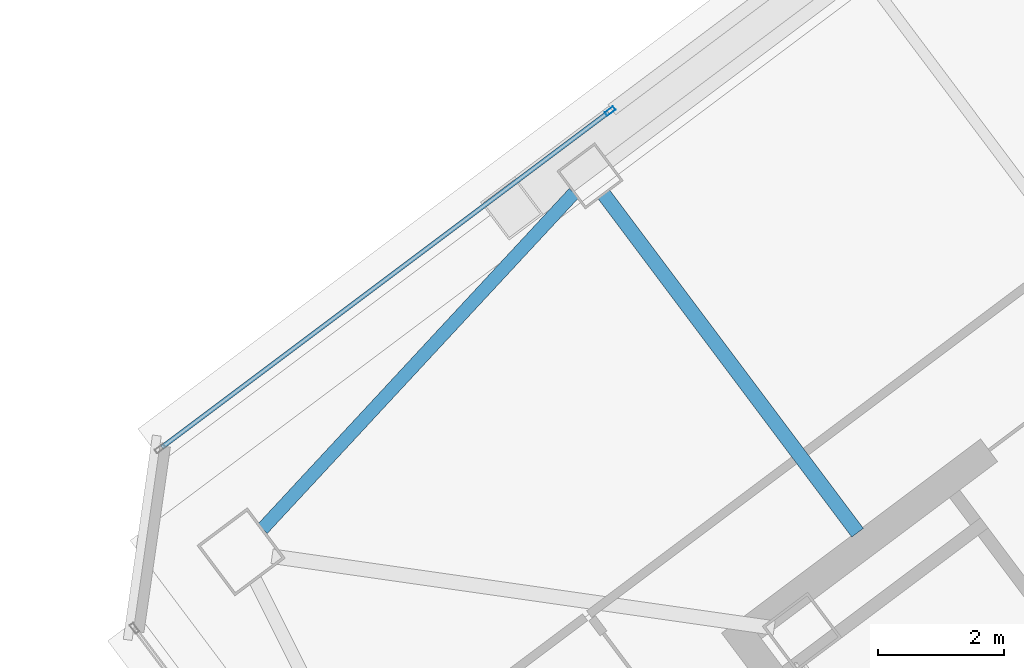
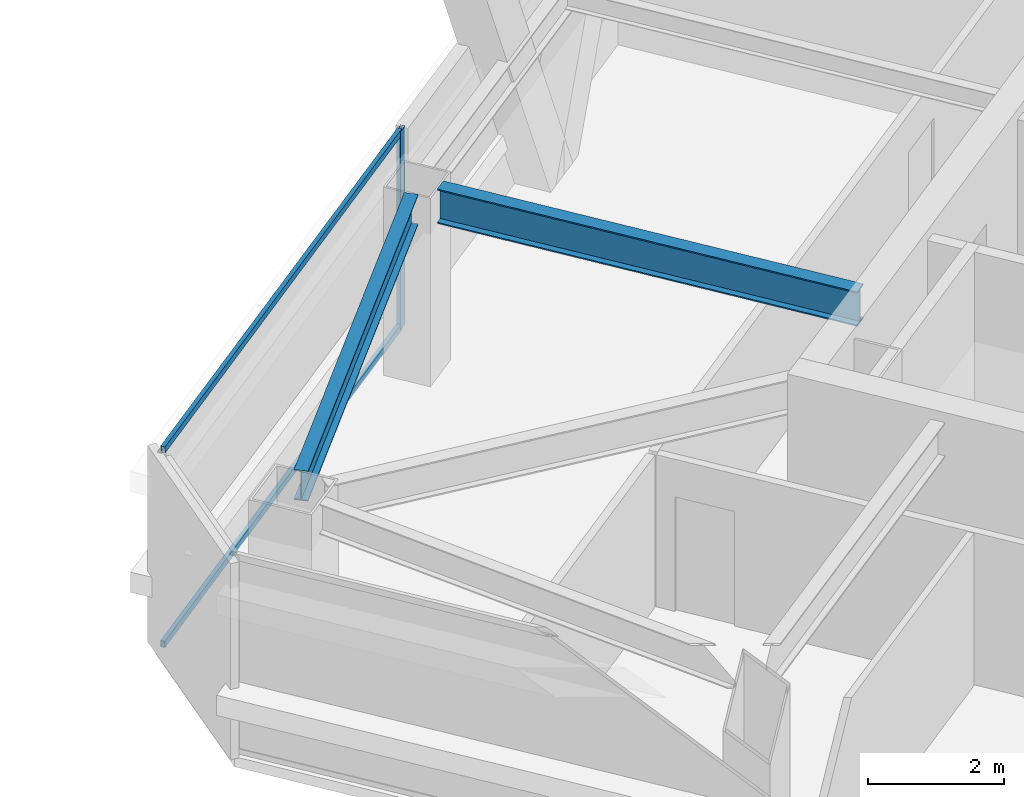
# One storey, part 25 of 47: 3 members, 2 beams, 1 element without a shape of its own.
"""IFC4 building model written with IfcOpenShell, lengths in metres."""

from ifc_helpers import new_model, si_unit, direction, frame, origin, origin_2d, place, context, subcontext, project, spatial, hollow_rectangle, i_section, extrude, material, material_profile, profile_set, type_object, element, aggregate, save


model = new_model("IFC4")

# Units and contexts
model_context = context("Model", 3, precision=1e-05, world=origin(), true_north=direction((0.0, 1.0)))
body_context = subcontext(model_context, "Body", "Model", "MODEL_VIEW")
ifc_project = project(units=[si_unit("LENGTHUNIT", "METRE"), si_unit("AREAUNIT", "SQUARE_METRE"), si_unit("VOLUMEUNIT", "CUBIC_METRE"), si_unit("PLANEANGLEUNIT", "RADIAN"), si_unit("MASSUNIT", "GRAM", prefix="KILO")], contexts=[model_context])

# Site, building, storey
site_placement = place(None, origin())
site = spatial("IfcSite", under=ifc_project, at=site_placement, CompositionType="ELEMENT")
building_placement = place(site_placement, origin())
building = spatial("IfcBuilding", under=site, at=building_placement, Name="Tashvorn Skyway Center", CompositionType="ELEMENT")
storey_placement = place(building_placement, frame((0.0, 0.0, 204.199951171875)))
storey = spatial("IfcBuildingStorey", under=building, at=storey_placement, Name="L55", CompositionType="ELEMENT", Elevation=204.199951171875)

# Beams
ifc_material_1 = material(Name="Steel ASTM A992 Grade 50", Category="steel")
ifc_material_profile_1 = material_profile(ifc_material_1, i_section(OverallWidth=0.22998046875, OverallDepth=0.616943359375, WebThickness=0.01318359375, FlangeThickness=0.022216796875, at=origin_2d()), Name="W24X94")
ifc_profile_set_1 = profile_set([ifc_material_profile_1], Name="Steel ASTM A992 Grade 50")
beam_type_1 = type_object("IfcBeamType", Name="BM-BEAM-W24X94", PredefinedType="BEAM", material=ifc_profile_set_1)
beam_1_placement = place(storey_placement, frame((100.991943359375, 40.343994140625, 3.0615234375), z_axis=(0.599994169845, -0.800004372583, 0.0), x_axis=(0.800004372583, 0.599994169845, 0.0)))
element("IfcBeam", 1, at=beam_1_placement, inside=storey, type_object=beam_type_1, Name="Tower 2 L55 Primary Floor Girder FC-N2", PredefinedType="BEAM", context=body_context, shape_type="SweptSolid", body=[
    extrude(i_section(OverallWidth=0.22998046875, OverallDepth=0.616943359375, WebThickness=0.01318359375, FlangeThickness=0.022216796875, at=origin_2d()), origin(), (0.0, 0.0, 1.0), 6.7001953125),
])
ifc_material_profile_2 = material_profile(ifc_material_1, i_section(OverallWidth=0.2109375, OverallDepth=0.5390625, WebThickness=0.01171875, FlangeThickness=0.018798828125, at=origin_2d()), Name="W21X73")
ifc_profile_set_2 = profile_set([ifc_material_profile_2], Name="Steel ASTM A992 Grade 50")
beam_type_2 = type_object("IfcBeamType", Name="BM-SPANDREL-W21X73", PredefinedType="SPANDREL", material=ifc_profile_set_2)
beam_2_placement = place(storey_placement, frame((100.518310546875, 40.36865234375, 3.1005859375), z_axis=(-0.680182956622, -0.733042389989, 0.0), x_axis=(0.733042389989, -0.680182956622, 0.0)))
element("IfcBeam", 2, at=beam_2_placement, inside=storey, type_object=beam_type_2, Name="Tower 2 L55 Spandrel Beam 09", PredefinedType="SPANDREL", context=body_context, shape_type="SweptSolid", body=[
    extrude(i_section(OverallWidth=0.2109375, OverallDepth=0.5390625, WebThickness=0.01171875, FlangeThickness=0.018798828125, at=origin_2d()), origin(), (0.0, 0.0, 1.0), 7.26513671875),
])

# Curtain wall, members
ifc_material_2 = material(Name="Thermally broken bronze-anodized aluminium 6063-T6", Category="aluminium")
curtain_wall_type = type_object("IfcCurtainWallType", Name="CW-CW-Z5", PredefinedType="NOTDEFINED", material=ifc_material_2)
curtain_wall_placement = place(storey_placement, origin())
curtain_wall = element("IfcCurtainWall", 3, at=curtain_wall_placement, inside=storey, type_object=curtain_wall_type, Name="Tower 2 L55 North Unitised Curtain Wall Glazing Group 1", PredefinedType="NOTDEFINED")
ifc_material_profile_3 = material_profile(ifc_material_2, hollow_rectangle(XDim=0.070068359375, YDim=0.1650390625, WallThickness=0.00390625, at=origin_2d()), Name="ALU-MULL-70x165")
ifc_profile_set_3 = profile_set([ifc_material_profile_3], Name="Thermally broken bronze-anodized aluminium 6063-T6")
member_type_1 = type_object("IfcMemberType", Name="CWM-CW-Z5", PredefinedType="MULLION", material=ifc_profile_set_3)
member_1_placement = place(storey_placement, frame((101.08935546875, 41.6669921875, 0.0), z_axis=(0.0, 0.0, 1.0), x_axis=(-0.600001780418, 0.799998664683, 0.0)))
member_1 = element("IfcMember", 4, at=member_1_placement, type_object=member_type_1, Name="CW-Z5 mullion 2", PredefinedType="MULLION", context=body_context, shape_type="SweptSolid", body=[
    extrude(hollow_rectangle(XDim=0.070068359375, YDim=0.1650390625, WallThickness=0.00390625, at=origin_2d()), origin(), (0.0, 0.0, 1.0), 3.550048828125),
])
ifc_material_profile_4 = material_profile(ifc_material_2, hollow_rectangle(XDim=0.070068359375, YDim=0.114990234375, WallThickness=0.00390625, at=origin_2d()), Name="ALU-TRAN-70x115")
ifc_profile_set_4 = profile_set([ifc_material_profile_4], Name="Thermally broken bronze-anodized aluminium 6063-T6")
member_type_2 = type_object("IfcMemberType", Name="CWT-CW-Z5", PredefinedType="USERDEFINED", material=ifc_profile_set_4)
member_2_placement = place(storey_placement, frame((93.98388671875, 36.337890625, 0.03515625), z_axis=(0.799996688401, 0.600004415441, 0.0), x_axis=(-0.600004415441, 0.799996688401, 0.0)))
member_2 = element("IfcMember", 5, at=member_2_placement, type_object=member_type_2, Name="CW-Z5 transom 1.1", ObjectType="TRANSOM", PredefinedType="USERDEFINED", context=body_context, shape_type="SweptSolid", body=[
    extrude(hollow_rectangle(XDim=0.070068359375, YDim=0.114990234375, WallThickness=0.00390625, at=origin_2d()), origin(), (0.0, 0.0, 1.0), 8.8466796875),
])
member_3_placement = place(storey_placement, frame((93.98388671875, 36.337890625, 3.51513671875), z_axis=(0.799996688401, 0.600004415441, 0.0), x_axis=(-0.600004415441, 0.799996688401, 0.0)))
member_3 = element("IfcMember", 6, at=member_3_placement, type_object=member_type_2, Name="CW-Z5 transom 1.2", ObjectType="TRANSOM", PredefinedType="USERDEFINED", context=body_context, shape_type="SweptSolid", body=[
    extrude(hollow_rectangle(XDim=0.070068359375, YDim=0.114990234375, WallThickness=0.00390625, at=origin_2d()), origin(), (0.0, 0.0, 1.0), 8.8466796875),
])
aggregate(curtain_wall, [member_1, member_2, member_3])

save(model, "model.ifc")
